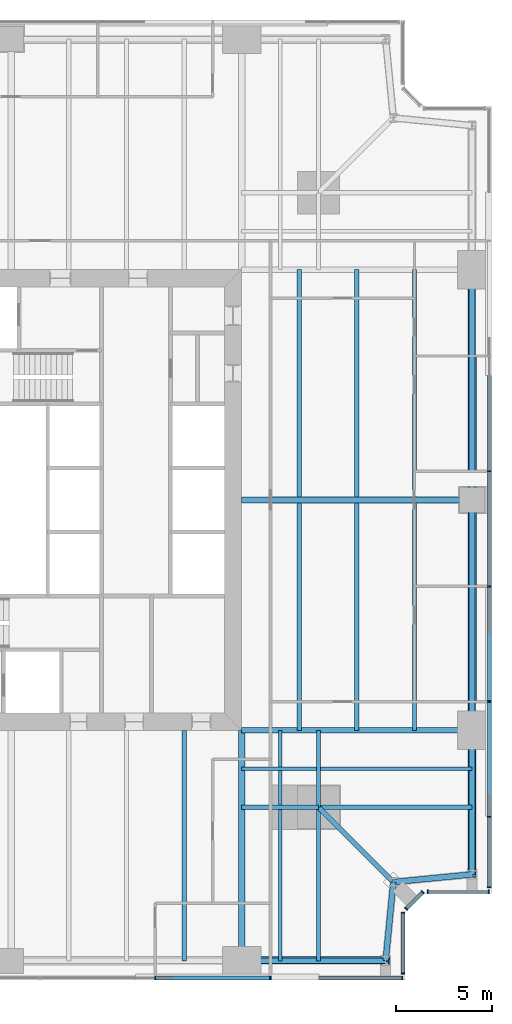
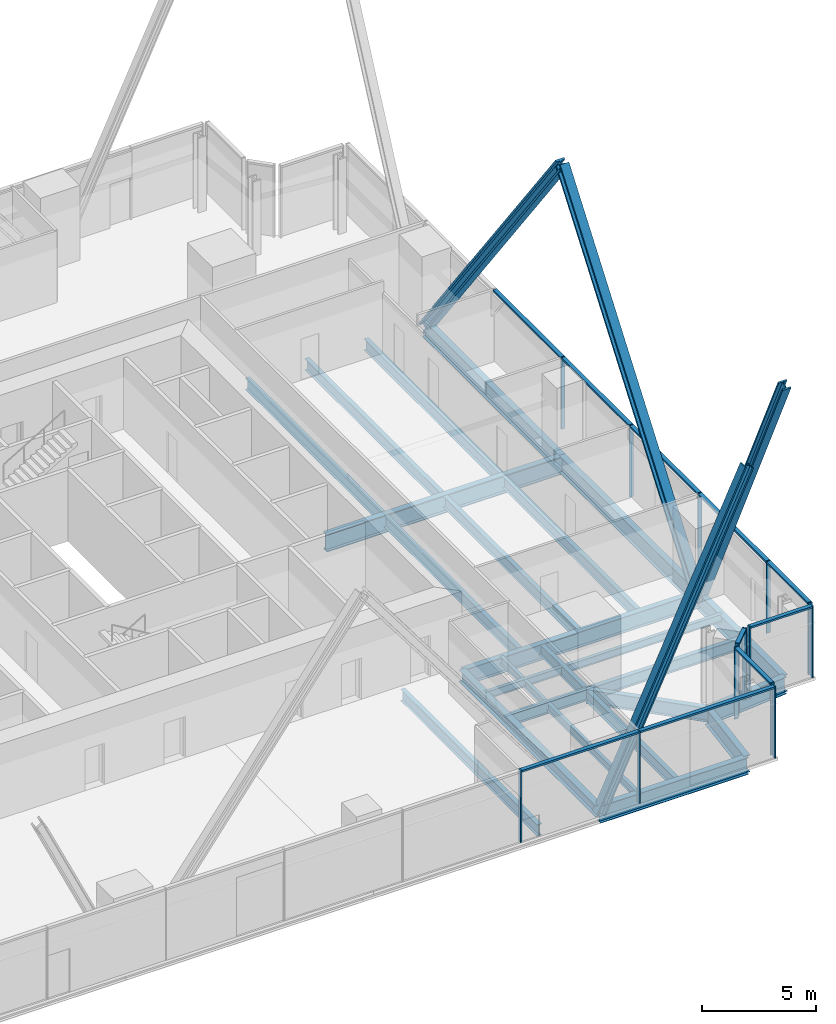
# One storey, part 5 of 14: 28 members, 26 beams, 5 elements without a shape of their own.
"""IFC4 building model written with IfcOpenShell, lengths in metres."""

from ifc_helpers import new_model, si_unit, direction, frame, origin, origin_2d, place, context, subcontext, project, spatial, rectangle, i_section, extrude, material, material_profile, profile_set, type_object, element, aggregate, save


model = new_model("IFC4")

# Units and contexts
model_context = context("Model", 3, precision=1e-05, world=origin(), true_north=direction((0.0, 1.0)))
body_context = subcontext(model_context, "Body", "Model", "MODEL_VIEW")
ifc_project = project(units=[si_unit("LENGTHUNIT", "METRE"), si_unit("AREAUNIT", "SQUARE_METRE"), si_unit("VOLUMEUNIT", "CUBIC_METRE"), si_unit("PLANEANGLEUNIT", "RADIAN"), si_unit("MASSUNIT", "GRAM", prefix="KILO")], contexts=[model_context])

# Site, building, storey
site_placement = place(None, origin())
site = spatial("IfcSite", under=ifc_project, at=site_placement, CompositionType="ELEMENT")
building_placement = place(site_placement, origin())
building = spatial("IfcBuilding", under=site, at=building_placement, Name="Fenwick Lantern Interchange", CompositionType="ELEMENT")
storey_placement = place(building_placement, frame((0.0, 0.0, 130.39990234375)))
storey = spatial("IfcBuildingStorey", under=building, at=storey_placement, Name="L30", CompositionType="ELEMENT", Elevation=130.39990234375)

# Beams
ifc_material_1 = material(Name="Steel ASTM A992 Grade 50", Category="steel")
ifc_material_profile_1 = material_profile(ifc_material_1, i_section(OverallWidth=0.3046875, OverallDepth=0.911865234375, WebThickness=0.015869140625, FlangeThickness=0.02392578125, at=origin_2d()), Name="W36X150")
ifc_profile_set_1 = profile_set([ifc_material_profile_1], Name="Steel ASTM A992 Grade 50")
beam_type_1 = type_object("IfcBeamType", Name="EDGE BEAM W36X150", PredefinedType="SPANDREL", material=ifc_profile_set_1)
beam_1_placement = place(storey_placement, frame((37.0, 1.0, -0.605712890625), z_axis=(1.0, 0.0, 0.0), x_axis=(0.0, 1.0, 0.0)))
element("IfcBeam", 1, at=beam_1_placement, inside=storey, type_object=beam_type_1, Name="L30/FR/S/EB4", PredefinedType="SPANDREL", context=body_context, shape_type="SweptSolid", body=[
    extrude(i_section(OverallWidth=0.3046875, OverallDepth=0.911865234375, WebThickness=0.015869140625, FlangeThickness=0.02392578125, at=origin_2d()), origin(), (0.0, 0.0, 1.0), 7.5),
])
for number, where, z_axis, x_axis, name in (
    (2, (44.5, 1.0, -0.605712890625), (0.097074191287, 0.995277148028, 0.0), (-0.995277148028, 0.097074191287, 0.0), "L30/FR/S/EBR1"),
    (3, (44.89990234375, 5.10009765625, -0.605712890625), (0.995277148028, 0.097074191287, 0.0), (-0.097074191287, 0.995277148028, 0.0), "L30/FR/S/EBR2"),
):
    element("IfcBeam", number, at=place(storey_placement, frame(where, z_axis=z_axis, x_axis=x_axis)), inside=storey, type_object=beam_type_1, Name=name, PredefinedType="SPANDREL", context=body_context, shape_type="SweptSolid", body=[
        extrude(i_section(OverallWidth=0.3046875, OverallDepth=0.911865234375, WebThickness=0.015869140625, FlangeThickness=0.02392578125, at=origin_2d()), origin(), (0.0, 0.0, 1.0), 4.11962890625),
    ])
beam_2_placement = place(storey_placement, frame((49.0, 5.5, -0.605712890625), z_axis=(0.0, 1.0, 0.0), x_axis=(-1.0, 0.0, 0.0)))
element("IfcBeam", 4, at=beam_2_placement, inside=storey, type_object=beam_type_1, Name="L30/FR/E/EB1", PredefinedType="SPANDREL", context=body_context, shape_type="SweptSolid", body=[
    extrude(i_section(OverallWidth=0.3046875, OverallDepth=0.911865234375, WebThickness=0.015869140625, FlangeThickness=0.02392578125, at=origin_2d()), origin(), (0.0, 0.0, 1.0), 7.5),
])
for number, where, z_axis, x_axis, name in (
    (5, (49.0, 13.0, -0.605712890625), (0.0, 1.0, 0.0), (-1.0, 0.0, 0.0), "L30/FR/E/EB2"),
    (6, (49.0, 25.0, -0.605712890625), (0.0, 1.0, 0.0), (-1.0, 0.0, 0.0), "L30/FR/E/EB3"),
):
    element("IfcBeam", number, at=place(storey_placement, frame(where, z_axis=z_axis, x_axis=x_axis)), inside=storey, type_object=beam_type_1, Name=name, PredefinedType="SPANDREL", context=body_context, shape_type="SweptSolid", body=[
        extrude(i_section(OverallWidth=0.3046875, OverallDepth=0.911865234375, WebThickness=0.015869140625, FlangeThickness=0.02392578125, at=origin_2d()), origin(), (0.0, 0.0, 1.0), 12.0),
    ])

# Members
ifc_material_profile_2 = material_profile(ifc_material_1, i_section(OverallWidth=0.424072265625, OverallDepth=0.47509765625, WebThickness=0.0478515625, FlangeThickness=0.0771484375, at=origin_2d()), Name="W14X426")
ifc_profile_set_2 = profile_set([ifc_material_profile_2], Name="Steel ASTM A992 Grade 50")
member_type_1 = type_object("IfcMemberType", Name="FACADE BRACE W14X426", PredefinedType="BRACE", material=ifc_profile_set_2)
for number, where, z_axis, x_axis, name in (
    (7, (37.0, 1.0, -0.605712890625), (0.424433876231, 0.0, 0.905458935959), (0.0, 1.0, 0.0), "L30/FB/S/BE"),
    (8, (49.0, 13.0, -0.605712890625), (0.0, -0.424433876231, 0.905458935959), (1.0, 0.0, 0.0), "L30/FB/E/AE"),
):
    element("IfcMember", number, at=place(storey_placement, frame(where, z_axis=z_axis, x_axis=x_axis)), inside=storey, type_object=member_type_1, Name=name, PredefinedType="BRACE", context=body_context, shape_type="SweptSolid", body=[
        extrude(i_section(OverallWidth=0.424072265625, OverallDepth=0.47509765625, WebThickness=0.0478515625, FlangeThickness=0.0771484375, at=origin_2d()), origin(), (0.0, 0.0, 1.0), 17.670654296875),
    ])
ifc_material_profile_3 = material_profile(ifc_material_1, i_section(OverallWidth=0.44189453125, OverallDepth=0.53076171875, WebThickness=0.06591796875, FlangeThickness=0.105712890625, at=origin_2d()), Name="W14X605")
ifc_profile_set_3 = profile_set([ifc_material_profile_3], Name="Steel ASTM A992 Grade 50")
member_type_2 = type_object("IfcMemberType", Name="FACADE BRACE W14X605", PredefinedType="BRACE", material=ifc_profile_set_3)
for number, where, z_axis, x_axis, name in (
    (9, (49.0, 13.0, -0.605712890625), (0.0, 0.6, 0.8), (-1.0, 0.0, 0.0), "L30/FB/E/A"),
    (10, (49.0, 37.0, -0.605712890625), (0.0, -0.6, 0.8), (1.0, 0.0, 0.0), "L30/FB/E/B"),
):
    element("IfcMember", number, at=place(storey_placement, frame(where, z_axis=z_axis, x_axis=x_axis)), inside=storey, type_object=member_type_2, Name=name, PredefinedType="BRACE", context=body_context, shape_type="SweptSolid", body=[
        extrude(i_section(OverallWidth=0.44189453125, OverallDepth=0.53076171875, WebThickness=0.06591796875, FlangeThickness=0.105712890625, at=origin_2d()), origin(), (0.0, 0.0, 1.0), 20.0),
    ])

# Beams
ifc_material_profile_4 = material_profile(ifc_material_1, i_section(OverallWidth=0.22900390625, OverallDepth=0.612060546875, WebThickness=0.011962890625, FlangeThickness=0.01953125, at=origin_2d()), Name="W24X84")
ifc_profile_set_4 = profile_set([ifc_material_profile_4], Name="Steel ASTM A992 Grade 50")
beam_type_2 = type_object("IfcBeamType", Name="FLOOR BEAM W24X84", PredefinedType="BEAM", material=ifc_profile_set_4)
beam_3_placement = place(storey_placement, frame((34.0, 1.0, -0.4560546875), z_axis=(0.0, 1.0, 0.0), x_axis=(-1.0, 0.0, 0.0)))
element("IfcBeam", 11, at=beam_3_placement, inside=storey, type_object=beam_type_2, Name="L30/FR/S/R08", PredefinedType="BEAM", context=body_context, shape_type="SweptSolid", body=[
    extrude(i_section(OverallWidth=0.22900390625, OverallDepth=0.612060546875, WebThickness=0.011962890625, FlangeThickness=0.01953125, at=origin_2d()), origin(), (0.0, 0.0, 1.0), 12.0),
])
for number, where, z_axis, x_axis, name in (
    (12, (46.0, 13.0, -0.4560546875), (0.0, 1.0, 0.0), (-1.0, 0.0, 0.0), "L30/FR/E/B01"),
    (13, (43.0, 13.0, -0.4560546875), (0.0, 1.0, 0.0), (-1.0, 0.0, 0.0), "L30/FR/E/B02"),
    (14, (40.0, 13.0, -0.4560546875), (0.0, 1.0, 0.0), (-1.0, 0.0, 0.0), "L30/FR/E/B03"),
    (15, (46.0, 25.155029296875, -0.4560546875), (0.0, 1.0, 0.0), (-1.0, 0.0, 0.0), "L30/FR/E/B04"),
    (16, (43.0, 25.155029296875, -0.4560546875), (0.0, 1.0, 0.0), (-1.0, 0.0, 0.0), "L30/FR/E/B05"),
    (17, (40.0, 25.155029296875, -0.4560546875), (0.0, 1.0, 0.0), (-1.0, 0.0, 0.0), "L30/FR/E/B06"),
):
    element("IfcBeam", number, at=place(storey_placement, frame(where, z_axis=z_axis, x_axis=x_axis)), inside=storey, type_object=beam_type_2, Name=name, PredefinedType="BEAM", context=body_context, shape_type="SweptSolid", body=[
        extrude(i_section(OverallWidth=0.22900390625, OverallDepth=0.612060546875, WebThickness=0.011962890625, FlangeThickness=0.01953125, at=origin_2d()), origin(), (0.0, 0.0, 1.0), 11.844970703125),
    ])
ifc_material_profile_5 = material_profile(ifc_material_1, i_section(OverallWidth=0.177734375, OverallDepth=0.406494140625, WebThickness=0.0078125, FlangeThickness=0.012939453125, at=origin_2d()), Name="W16X40")
ifc_profile_set_5 = profile_set([ifc_material_profile_5], Name="Steel ASTM A992 Grade 50")
beam_type_3 = type_object("IfcBeamType", Name="INFILL BEAM W16X40", PredefinedType="JOIST", material=ifc_profile_set_5)
beam_4_placement = place(storey_placement, frame((49.0, 11.0, -0.35302734375), z_axis=(-1.0, 0.0, 0.0), x_axis=(0.0, -1.0, 0.0)))
element("IfcBeam", 18, at=beam_4_placement, inside=storey, type_object=beam_type_3, Name="L30/FR/E/J1", PredefinedType="JOIST", context=body_context, shape_type="SweptSolid", body=[
    extrude(i_section(OverallWidth=0.177734375, OverallDepth=0.406494140625, WebThickness=0.0078125, FlangeThickness=0.012939453125, at=origin_2d()), origin(), (0.0, 0.0, 1.0), 7.885498046875),
])
beam_5_placement = place(storey_placement, frame((40.885498046875, 11.0, -0.35302734375), z_axis=(-1.0, 0.0, 0.0), x_axis=(0.0, -1.0, 0.0)))
element("IfcBeam", 19, at=beam_5_placement, inside=storey, type_object=beam_type_3, Name="L30/FR/E/J2", PredefinedType="JOIST", context=body_context, shape_type="SweptSolid", body=[
    extrude(i_section(OverallWidth=0.177734375, OverallDepth=0.406494140625, WebThickness=0.0078125, FlangeThickness=0.012939453125, at=origin_2d()), origin(), (0.0, 0.0, 1.0), 3.885498046875),
])
beam_6_placement = place(storey_placement, frame((39.0, 1.0, -0.35302734375), z_axis=(0.0, 1.0, 0.0), x_axis=(-1.0, 0.0, 0.0)))
element("IfcBeam", 20, at=beam_6_placement, inside=storey, type_object=beam_type_3, Name="L30/FR/E/J3", PredefinedType="JOIST", context=body_context, shape_type="SweptSolid", body=[
    extrude(i_section(OverallWidth=0.177734375, OverallDepth=0.406494140625, WebThickness=0.0078125, FlangeThickness=0.012939453125, at=origin_2d()), origin(), (0.0, 0.0, 1.0), 7.885498046875),
])
beam_7_placement = place(storey_placement, frame((39.0, 9.114501953125, -0.35302734375), z_axis=(0.0, 1.0, 0.0), x_axis=(-1.0, 0.0, 0.0)))
element("IfcBeam", 21, at=beam_7_placement, inside=storey, type_object=beam_type_3, Name="L30/FR/E/J4", PredefinedType="JOIST", context=body_context, shape_type="SweptSolid", body=[
    extrude(i_section(OverallWidth=0.177734375, OverallDepth=0.406494140625, WebThickness=0.0078125, FlangeThickness=0.012939453125, at=origin_2d()), origin(), (0.0, 0.0, 1.0), 1.796630859375),
])
beam_8_placement = place(storey_placement, frame((39.0, 11.0888671875, -0.35302734375), z_axis=(0.0, 1.0, 0.0), x_axis=(-1.0, 0.0, 0.0)))
element("IfcBeam", 22, at=beam_8_placement, inside=storey, type_object=beam_type_3, Name="L30/FR/E/J5", PredefinedType="JOIST", context=body_context, shape_type="SweptSolid", body=[
    extrude(i_section(OverallWidth=0.177734375, OverallDepth=0.406494140625, WebThickness=0.0078125, FlangeThickness=0.012939453125, at=origin_2d()), origin(), (0.0, 0.0, 1.0), 1.9111328125),
])
ifc_material_profile_6 = material_profile(ifc_material_1, i_section(OverallWidth=0.22900390625, OverallDepth=0.612060546875, WebThickness=0.011962890625, FlangeThickness=0.01953125, at=origin_2d()), Name="W24X84")
ifc_profile_set_6 = profile_set([ifc_material_profile_6], Name="Steel ASTM A992 Grade 50")
beam_type_4 = type_object("IfcBeamType", Name="MEGA COLUMN BEAM W24X84", PredefinedType="BEAM", material=ifc_profile_set_6)
for number, where, z_axis, x_axis, name in (
    (23, (41.0, 9.0, -0.4560546875), (1.0, 0.0, 0.0), (0.0, 1.0, 0.0), "L30/FR/E/MB1"),
    (24, (41.0, 9.0, -0.4560546875), (0.0, -1.0, 0.0), (1.0, 0.0, 0.0), "L30/FR/E/MB2"),
):
    element("IfcBeam", number, at=place(storey_placement, frame(where, z_axis=z_axis, x_axis=x_axis)), inside=storey, type_object=beam_type_4, Name=name, PredefinedType="BEAM", context=body_context, shape_type="SweptSolid", body=[
        extrude(i_section(OverallWidth=0.22900390625, OverallDepth=0.612060546875, WebThickness=0.011962890625, FlangeThickness=0.01953125, at=origin_2d()), origin(), (0.0, 0.0, 1.0), 8.0),
    ])
for number, where, z_axis, x_axis, name in (
    (25, (41.0, 9.0, -0.4560546875), (0.0, 1.0, 0.0), (-1.0, 0.0, 0.0), "L30/FR/E/MB3"),
    (26, (41.0, 9.0, -0.4560546875), (-1.0, 0.0, 0.0), (0.0, -1.0, 0.0), "L30/FR/E/MB4"),
):
    element("IfcBeam", number, at=place(storey_placement, frame(where, z_axis=z_axis, x_axis=x_axis)), inside=storey, type_object=beam_type_4, Name=name, PredefinedType="BEAM", context=body_context, shape_type="SweptSolid", body=[
        extrude(i_section(OverallWidth=0.22900390625, OverallDepth=0.612060546875, WebThickness=0.011962890625, FlangeThickness=0.01953125, at=origin_2d()), origin(), (0.0, 0.0, 1.0), 4.0),
    ])
ifc_material_profile_7 = material_profile(ifc_material_1, i_section(OverallWidth=0.32763671875, OverallDepth=0.622314453125, WebThickness=0.015380859375, FlangeThickness=0.0244140625, at=origin_2d()), Name="W24X131")
ifc_profile_set_7 = profile_set([ifc_material_profile_7], Name="Steel ASTM A992 Grade 50")
beam_type_5 = type_object("IfcBeamType", Name="MOMENT-CONNECTED GIRDER W24X131", PredefinedType="BEAM", material=ifc_profile_set_7)
beam_9_placement = place(storey_placement, frame((37.0, 1.0, -0.4609375), z_axis=(0.0, 1.0, 0.0), x_axis=(-1.0, 0.0, 0.0)))
element("IfcBeam", 27, at=beam_9_placement, inside=storey, type_object=beam_type_5, Name="L30/FR/S/R09", PredefinedType="BEAM", context=body_context, shape_type="SweptSolid", body=[
    extrude(i_section(OverallWidth=0.32763671875, OverallDepth=0.622314453125, WebThickness=0.015380859375, FlangeThickness=0.0244140625, at=origin_2d()), origin(), (0.0, 0.0, 1.0), 12.0),
])
ifc_material_profile_8 = material_profile(ifc_material_1, i_section(OverallWidth=0.2919921875, OverallDepth=0.845703125, WebThickness=0.015380859375, FlangeThickness=0.0244140625, at=origin_2d()), Name="W33X141")
ifc_profile_set_8 = profile_set([ifc_material_profile_8], Name="Steel ASTM A992 Grade 50")
beam_type_6 = type_object("IfcBeamType", Name="MOMENT-CONNECTED GIRDER W33X141", PredefinedType="BEAM", material=ifc_profile_set_8)
beam_10_placement = place(storey_placement, frame((49.0, 13.0, -0.57275390625), z_axis=(-1.0, 0.0, 0.0), x_axis=(0.0, -1.0, 0.0)))
element("IfcBeam", 28, at=beam_10_placement, inside=storey, type_object=beam_type_6, Name="L30/FR/E/R01", PredefinedType="BEAM", context=body_context, shape_type="SweptSolid", body=[
    extrude(i_section(OverallWidth=0.2919921875, OverallDepth=0.845703125, WebThickness=0.015380859375, FlangeThickness=0.0244140625, at=origin_2d()), origin(), (0.0, 0.0, 1.0), 12.0),
])
ifc_material_profile_9 = material_profile(ifc_material_1, i_section(OverallWidth=0.309814453125, OverallDepth=0.949951171875, WebThickness=0.0244140625, FlangeThickness=0.0439453125, at=origin_2d()), Name="W36X256")
ifc_profile_set_9 = profile_set([ifc_material_profile_9], Name="Steel ASTM A992 Grade 50")
beam_type_7 = type_object("IfcBeamType", Name="MOMENT-CONNECTED GIRDER W36X256", PredefinedType="BEAM", material=ifc_profile_set_9)
beam_11_placement = place(storey_placement, frame((49.0, 25.0, -0.625), z_axis=(-1.0, 0.0, 0.0), x_axis=(0.0, -1.0, 0.0)))
element("IfcBeam", 29, at=beam_11_placement, inside=storey, type_object=beam_type_7, Name="L30/FR/E/R02", PredefinedType="BEAM", context=body_context, shape_type="SweptSolid", body=[
    extrude(i_section(OverallWidth=0.309814453125, OverallDepth=0.949951171875, WebThickness=0.0244140625, FlangeThickness=0.0439453125, at=origin_2d()), origin(), (0.0, 0.0, 1.0), 12.0),
])
ifc_material_profile_10 = material_profile(ifc_material_1, i_section(OverallWidth=0.2666015625, OverallDepth=0.7568359375, WebThickness=0.013916015625, FlangeThickness=0.019287109375, at=origin_2d()), Name="W30X108")
ifc_profile_set_10 = profile_set([ifc_material_profile_10], Name="Steel ASTM A992 Grade 50")
beam_type_8 = type_object("IfcBeamType", Name="NOTCH BEAM W30X108", PredefinedType="BEAM", material=ifc_profile_set_10)
beam_12_placement = place(storey_placement, frame((41.0, 9.0, -0.5283203125), z_axis=(0.707106781187, -0.707106781187, 0.0), x_axis=(0.707106781187, 0.707106781187, 0.0)))
element("IfcBeam", 30, at=beam_12_placement, inside=storey, type_object=beam_type_8, Name="L30/FR/E/TG", PredefinedType="BEAM", context=body_context, shape_type="SweptSolid", body=[
    extrude(i_section(OverallWidth=0.2666015625, OverallDepth=0.7568359375, WebThickness=0.013916015625, FlangeThickness=0.019287109375, at=origin_2d()), origin(), (0.0, 0.0, 1.0), 5.515380859375),
])

# Curtain wall, members
ifc_material_2 = material(Name="Aluminium curtain wall frame", Category="aluminium")
curtain_wall_type = type_object("IfcCurtainWallType", Name="OFFICE CURTAIN WALL", PredefinedType="USERDEFINED", material=ifc_material_2)
curtain_wall_1_placement = place(storey_placement, origin())
curtain_wall_1 = element("IfcCurtainWall", 31, at=curtain_wall_1_placement, inside=storey, type_object=curtain_wall_type, Name="Office curtain wall 01", ObjectType="OFFICE CURTAIN WALL", PredefinedType="USERDEFINED")
ifc_material_3 = material(Name="Aluminium extrusion", Category="aluminium")
ifc_material_profile_11 = material_profile(ifc_material_3, rectangle(XDim=0.199951171875, YDim=0.06494140625, at=origin_2d()), Name="OFFICE CURTAIN WALL MULLION 65 X 200")
ifc_profile_set_11 = profile_set([ifc_material_profile_11], Name="Aluminium extrusion")
member_type_3 = type_object("IfcMemberType", Name="OFFICE CURTAIN WALL MULLION 65 X 200", PredefinedType="MULLION", material=ifc_profile_set_11)
member_1_placement = place(storey_placement, frame((32.5, 0.10009765625, 0.0), z_axis=(0.0, 0.0, 1.0), x_axis=(0.0, 1.0, 0.0)))
member_1 = element("IfcMember", 32, at=member_1_placement, type_object=member_type_3, Name="L30/CW/01/M05", PredefinedType="MULLION", context=body_context, shape_type="SweptSolid", body=[
    extrude(rectangle(XDim=0.199951171875, YDim=0.06494140625, at=origin_2d()), origin(), (0.0, 0.0, 1.0), 3.85009765625),
])
member_2_placement = place(storey_placement, frame((38.5, 0.10009765625, 0.0), z_axis=(0.0, 0.0, 1.0), x_axis=(0.0, 1.0, 0.0)))
member_2 = element("IfcMember", 33, at=member_2_placement, type_object=member_type_3, Name="L30/CW/01/M06", PredefinedType="MULLION", context=body_context, shape_type="SweptSolid", body=[
    extrude(rectangle(XDim=0.199951171875, YDim=0.06494140625, at=origin_2d()), origin(), (0.0, 0.0, 1.0), 3.85009765625),
])
member_3_placement = place(storey_placement, frame((45.367431640625, 0.10009765625, 0.0), z_axis=(0.0, 0.0, 1.0), x_axis=(0.0, 1.0, 0.0)))
member_3 = element("IfcMember", 34, at=member_3_placement, type_object=member_type_3, Name="L30/CW/01/M07", PredefinedType="MULLION", context=body_context, shape_type="SweptSolid", body=[
    extrude(rectangle(XDim=0.199951171875, YDim=0.06494140625, at=origin_2d()), origin(), (0.0, 0.0, 1.0), 3.85009765625),
])

curtain_wall_2_placement = place(storey_placement, origin())
curtain_wall_2 = element("IfcCurtainWall", 35, at=curtain_wall_2_placement, inside=storey, type_object=curtain_wall_type, Name="Office curtain wall 02", ObjectType="OFFICE CURTAIN WALL", PredefinedType="USERDEFINED")
member_4_placement = place(storey_placement, frame((45.39990234375, 0.33251953125, 0.0), z_axis=(0.0, 0.0, 1.0), x_axis=(-1.0, 0.0, 0.0)))
member_4 = element("IfcMember", 36, at=member_4_placement, type_object=member_type_3, Name="L30/CW/02/M00", PredefinedType="MULLION", context=body_context, shape_type="SweptSolid", body=[
    extrude(rectangle(XDim=0.199951171875, YDim=0.06494140625, at=origin_2d()), origin(), (0.0, 0.0, 1.0), 3.85009765625),
])
member_5_placement = place(storey_placement, frame((45.39990234375, 3.509033203125, 0.0), z_axis=(0.0, 0.0, 1.0), x_axis=(-1.0, 0.0, 0.0)))
member_5 = element("IfcMember", 37, at=member_5_placement, type_object=member_type_3, Name="L30/CW/02/M01", PredefinedType="MULLION", context=body_context, shape_type="SweptSolid", body=[
    extrude(rectangle(XDim=0.199951171875, YDim=0.06494140625, at=origin_2d()), origin(), (0.0, 0.0, 1.0), 3.85009765625),
])

curtain_wall_3_placement = place(storey_placement, origin())
curtain_wall_3 = element("IfcCurtainWall", 38, at=curtain_wall_3_placement, inside=storey, type_object=curtain_wall_type, Name="Office curtain wall 03", ObjectType="OFFICE CURTAIN WALL", PredefinedType="USERDEFINED")
member_6_placement = place(storey_placement, frame((45.564453125, 3.705810546875, 0.0), z_axis=(0.0, 0.0, 1.0), x_axis=(-0.707106781187, 0.707106781187, 0.0)))
member_6 = element("IfcMember", 39, at=member_6_placement, type_object=member_type_3, Name="L30/CW/03/M00", PredefinedType="MULLION", context=body_context, shape_type="SweptSolid", body=[
    extrude(rectangle(XDim=0.199951171875, YDim=0.06494140625, at=origin_2d()), origin(), (0.0, 0.0, 1.0), 3.85009765625),
])
member_7_placement = place(storey_placement, frame((46.435546875, 4.576904296875, 0.0), z_axis=(0.0, 0.0, 1.0), x_axis=(-0.707106781187, 0.707106781187, 0.0)))
member_7 = element("IfcMember", 40, at=member_7_placement, type_object=member_type_3, Name="L30/CW/03/M01", PredefinedType="MULLION", context=body_context, shape_type="SweptSolid", body=[
    extrude(rectangle(XDim=0.199951171875, YDim=0.06494140625, at=origin_2d()), origin(), (0.0, 0.0, 1.0), 3.85009765625),
])

curtain_wall_4_placement = place(storey_placement, origin())
curtain_wall_4 = element("IfcCurtainWall", 41, at=curtain_wall_4_placement, inside=storey, type_object=curtain_wall_type, Name="Office curtain wall 04", ObjectType="OFFICE CURTAIN WALL", PredefinedType="USERDEFINED")
member_8_placement = place(storey_placement, frame((46.691162109375, 4.60009765625, 0.0), z_axis=(0.0, 0.0, 1.0), x_axis=(0.0, 1.0, 0.0)))
member_8 = element("IfcMember", 42, at=member_8_placement, type_object=member_type_3, Name="L30/CW/04/M00", PredefinedType="MULLION", context=body_context, shape_type="SweptSolid", body=[
    extrude(rectangle(XDim=0.199951171875, YDim=0.06494140625, at=origin_2d()), origin(), (0.0, 0.0, 1.0), 3.85009765625),
])
member_9_placement = place(storey_placement, frame((49.867431640625, 4.60009765625, 0.0), z_axis=(0.0, 0.0, 1.0), x_axis=(0.0, 1.0, 0.0)))
member_9 = element("IfcMember", 43, at=member_9_placement, type_object=member_type_3, Name="L30/CW/04/M01", PredefinedType="MULLION", context=body_context, shape_type="SweptSolid", body=[
    extrude(rectangle(XDim=0.199951171875, YDim=0.06494140625, at=origin_2d()), origin(), (0.0, 0.0, 1.0), 3.85009765625),
])

curtain_wall_5_placement = place(storey_placement, origin())
curtain_wall_5 = element("IfcCurtainWall", 44, at=curtain_wall_5_placement, inside=storey, type_object=curtain_wall_type, Name="Office curtain wall 05", ObjectType="OFFICE CURTAIN WALL", PredefinedType="USERDEFINED")
member_10_placement = place(storey_placement, frame((49.89990234375, 4.83251953125, 0.0), z_axis=(0.0, 0.0, 1.0), x_axis=(-1.0, 0.0, 0.0)))
member_10 = element("IfcMember", 45, at=member_10_placement, type_object=member_type_3, Name="L30/CW/05/M00", PredefinedType="MULLION", context=body_context, shape_type="SweptSolid", body=[
    extrude(rectangle(XDim=0.199951171875, YDim=0.06494140625, at=origin_2d()), origin(), (0.0, 0.0, 1.0), 3.85009765625),
])
member_11_placement = place(storey_placement, frame((49.89990234375, 8.5, 0.0), z_axis=(0.0, 0.0, 1.0), x_axis=(-1.0, 0.0, 0.0)))
member_11 = element("IfcMember", 46, at=member_11_placement, type_object=member_type_3, Name="L30/CW/05/M01", PredefinedType="MULLION", context=body_context, shape_type="SweptSolid", body=[
    extrude(rectangle(XDim=0.199951171875, YDim=0.06494140625, at=origin_2d()), origin(), (0.0, 0.0, 1.0), 3.85009765625),
])
member_12_placement = place(storey_placement, frame((49.89990234375, 14.5, 0.0), z_axis=(0.0, 0.0, 1.0), x_axis=(-1.0, 0.0, 0.0)))
member_12 = element("IfcMember", 47, at=member_12_placement, type_object=member_type_3, Name="L30/CW/05/M02", PredefinedType="MULLION", context=body_context, shape_type="SweptSolid", body=[
    extrude(rectangle(XDim=0.199951171875, YDim=0.06494140625, at=origin_2d()), origin(), (0.0, 0.0, 1.0), 3.85009765625),
])
member_13_placement = place(storey_placement, frame((49.89990234375, 20.5, 0.0), z_axis=(0.0, 0.0, 1.0), x_axis=(-1.0, 0.0, 0.0)))
member_13 = element("IfcMember", 48, at=member_13_placement, type_object=member_type_3, Name="L30/CW/05/M03", PredefinedType="MULLION", context=body_context, shape_type="SweptSolid", body=[
    extrude(rectangle(XDim=0.199951171875, YDim=0.06494140625, at=origin_2d()), origin(), (0.0, 0.0, 1.0), 3.85009765625),
])
member_14_placement = place(storey_placement, frame((49.89990234375, 26.5, 0.0), z_axis=(0.0, 0.0, 1.0), x_axis=(-1.0, 0.0, 0.0)))
member_14 = element("IfcMember", 49, at=member_14_placement, type_object=member_type_3, Name="L30/CW/05/M04", PredefinedType="MULLION", context=body_context, shape_type="SweptSolid", body=[
    extrude(rectangle(XDim=0.199951171875, YDim=0.06494140625, at=origin_2d()), origin(), (0.0, 0.0, 1.0), 3.85009765625),
])

# Member
ifc_material_profile_12 = material_profile(ifc_material_3, rectangle(XDim=0.199951171875, YDim=0.10009765625, at=origin_2d()), Name="OFFICE CURTAIN WALL TRANSOM 100 X 200")
ifc_profile_set_12 = profile_set([ifc_material_profile_12], Name="Aluminium extrusion")
member_type_4 = type_object("IfcMemberType", Name="OFFICE CURTAIN WALL TRANSOM 100 X 200", PredefinedType="MULLION", material=ifc_profile_set_12)
member_15_placement = place(storey_placement, frame((32.532470703125, 0.10009765625, 3.800048828125), z_axis=(1.0, 0.0, 0.0), x_axis=(0.0, 1.0, 0.0)))
member_15 = element("IfcMember", 50, at=member_15_placement, type_object=member_type_4, Name="L30/CW/01/T05", PredefinedType="MULLION", context=body_context, shape_type="SweptSolid", body=[
    extrude(rectangle(XDim=0.199951171875, YDim=0.10009765625, at=origin_2d()), origin(), (0.0, 0.0, 1.0), 5.93505859375),
])

member_16_placement = place(storey_placement, frame((38.532470703125, 0.10009765625, 3.800048828125), z_axis=(1.0, 0.0, 0.0), x_axis=(0.0, 1.0, 0.0)))
member_16 = element("IfcMember", 51, at=member_16_placement, type_object=member_type_4, Name="L30/CW/01/T06", PredefinedType="MULLION", context=body_context, shape_type="SweptSolid", body=[
    extrude(rectangle(XDim=0.199951171875, YDim=0.10009765625, at=origin_2d()), origin(), (0.0, 0.0, 1.0), 6.802490234375),
])

aggregate(curtain_wall_1, [member_1, member_2, member_3, member_15, member_16])

member_17_placement = place(storey_placement, frame((45.39990234375, 0.364990234375, 3.800048828125), z_axis=(0.0, 1.0, 0.0), x_axis=(-1.0, 0.0, 0.0)))
member_17 = element("IfcMember", 52, at=member_17_placement, type_object=member_type_4, Name="L30/CW/02/T00", PredefinedType="MULLION", context=body_context, shape_type="SweptSolid", body=[
    extrude(rectangle(XDim=0.199951171875, YDim=0.10009765625, at=origin_2d()), origin(), (0.0, 0.0, 1.0), 3.111328125),
])

aggregate(curtain_wall_2, [member_4, member_5, member_17])

member_18_placement = place(storey_placement, frame((45.58740234375, 3.728759765625, 3.800048828125), z_axis=(0.707106781187, 0.707106781187, 0.0), x_axis=(-0.707106781187, 0.707106781187, 0.0)))
member_18 = element("IfcMember", 53, at=member_18_placement, type_object=member_type_4, Name="L30/CW/03/T00", PredefinedType="MULLION", context=body_context, shape_type="SweptSolid", body=[
    extrude(rectangle(XDim=0.199951171875, YDim=0.10009765625, at=origin_2d()), origin(), (0.0, 0.0, 1.0), 1.1669921875),
])

aggregate(curtain_wall_3, [member_6, member_7, member_18])

member_19_placement = place(storey_placement, frame((46.7236328125, 4.60009765625, 3.800048828125), z_axis=(1.0, 0.0, 0.0), x_axis=(0.0, 1.0, 0.0)))
member_19 = element("IfcMember", 54, at=member_19_placement, type_object=member_type_4, Name="L30/CW/04/T00", PredefinedType="MULLION", context=body_context, shape_type="SweptSolid", body=[
    extrude(rectangle(XDim=0.199951171875, YDim=0.10009765625, at=origin_2d()), origin(), (0.0, 0.0, 1.0), 3.111328125),
])

aggregate(curtain_wall_4, [member_8, member_9, member_19])

member_20_placement = place(storey_placement, frame((49.89990234375, 4.864990234375, 3.800048828125), z_axis=(0.0, 1.0, 0.0), x_axis=(-1.0, 0.0, 0.0)))
member_20 = element("IfcMember", 55, at=member_20_placement, type_object=member_type_4, Name="L30/CW/05/T00", PredefinedType="MULLION", context=body_context, shape_type="SweptSolid", body=[
    extrude(rectangle(XDim=0.199951171875, YDim=0.10009765625, at=origin_2d()), origin(), (0.0, 0.0, 1.0), 3.6025390625),
])

member_21_placement = place(storey_placement, frame((49.89990234375, 8.532470703125, 3.800048828125), z_axis=(0.0, 1.0, 0.0), x_axis=(-1.0, 0.0, 0.0)))
member_21 = element("IfcMember", 56, at=member_21_placement, type_object=member_type_4, Name="L30/CW/05/T01", PredefinedType="MULLION", context=body_context, shape_type="SweptSolid", body=[
    extrude(rectangle(XDim=0.199951171875, YDim=0.10009765625, at=origin_2d()), origin(), (0.0, 0.0, 1.0), 5.93505859375),
])

member_22_placement = place(storey_placement, frame((49.89990234375, 14.532470703125, 3.800048828125), z_axis=(0.0, 1.0, 0.0), x_axis=(-1.0, 0.0, 0.0)))
member_22 = element("IfcMember", 57, at=member_22_placement, type_object=member_type_4, Name="L30/CW/05/T02", PredefinedType="MULLION", context=body_context, shape_type="SweptSolid", body=[
    extrude(rectangle(XDim=0.199951171875, YDim=0.10009765625, at=origin_2d()), origin(), (0.0, 0.0, 1.0), 5.93505859375),
])

member_23_placement = place(storey_placement, frame((49.89990234375, 20.532470703125, 3.800048828125), z_axis=(0.0, 1.0, 0.0), x_axis=(-1.0, 0.0, 0.0)))
member_23 = element("IfcMember", 58, at=member_23_placement, type_object=member_type_4, Name="L30/CW/05/T03", PredefinedType="MULLION", context=body_context, shape_type="SweptSolid", body=[
    extrude(rectangle(XDim=0.199951171875, YDim=0.10009765625, at=origin_2d()), origin(), (0.0, 0.0, 1.0), 5.93505859375),
])

member_24_placement = place(storey_placement, frame((49.89990234375, 26.532470703125, 3.800048828125), z_axis=(0.0, 1.0, 0.0), x_axis=(-1.0, 0.0, 0.0)))
member_24 = element("IfcMember", 59, at=member_24_placement, type_object=member_type_4, Name="L30/CW/05/T04", PredefinedType="MULLION", context=body_context, shape_type="SweptSolid", body=[
    extrude(rectangle(XDim=0.199951171875, YDim=0.10009765625, at=origin_2d()), origin(), (0.0, 0.0, 1.0), 5.93505859375),
])

aggregate(curtain_wall_5, [member_10, member_11, member_12, member_13, member_14, member_20, member_21, member_22, member_23, member_24])

save(model, "model.ifc")
